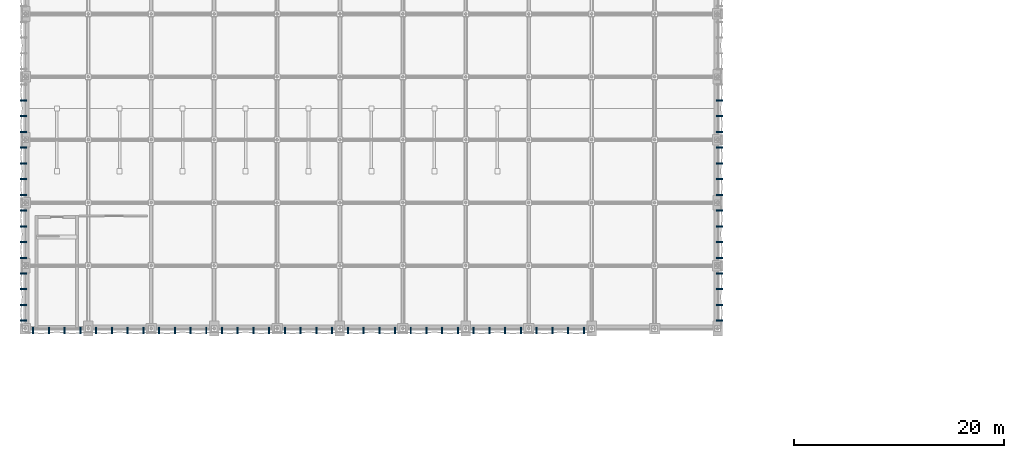
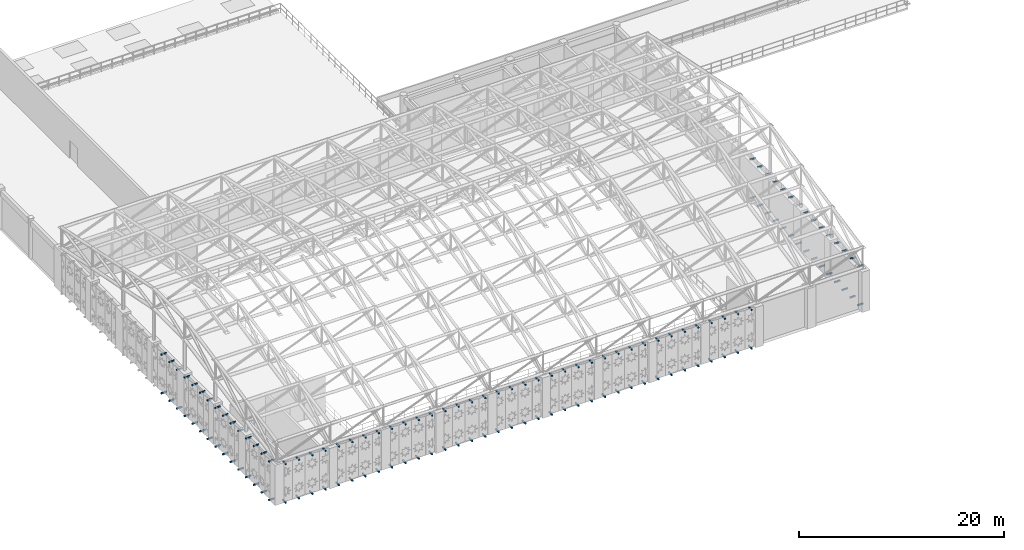
# One storey, part 102 of 112: 132 discrete accessories.
"""IFC4 building model written with IfcOpenShell, lengths in metres."""

from ifc_helpers import new_model, si_unit, direction, frame, origin, origin_2d, place, context, subcontext, project, spatial, rectangle, extrude, material, type_object, element, save


model = new_model("IFC4")

# Units and contexts
model_context = context("Model", 3, precision=1e-05, world=origin(), true_north=direction((0.0, 1.0)))
body_context = subcontext(model_context, "Body", "Model", "MODEL_VIEW")
ifc_project = project(units=[si_unit("LENGTHUNIT", "METRE"), si_unit("AREAUNIT", "SQUARE_METRE"), si_unit("VOLUMEUNIT", "CUBIC_METRE"), si_unit("PLANEANGLEUNIT", "RADIAN"), si_unit("MASSUNIT", "GRAM", prefix="KILO"), si_unit("THERMODYNAMICTEMPERATUREUNIT", "KELVIN"), si_unit("POWERUNIT", "WATT")], contexts=[model_context])

# Site, building, storey
site_placement = place(None, origin())
site = spatial("IfcSite", under=ifc_project, at=site_placement, CompositionType="ELEMENT")
building_placement = place(site_placement, origin())
building = spatial("IfcBuilding", under=site, at=building_placement, Name="Phaisarnlok Congress Hotel", CompositionType="ELEMENT")
storey_placement = place(building_placement, frame((0.0, 0.0, 19.800048828125)))
storey = spatial("IfcBuildingStorey", under=building, at=storey_placement, Name="L04", CompositionType="ELEMENT", Elevation=19.800048828125)

# Discrete accessories
ifc_material = material(Name="Steel S355", Category="steel")
discrete_accessory_type = type_object("IfcDiscreteAccessoryType", Name="ACC-BRK-STL", PredefinedType="BRACKET", material=ifc_material)
for number, where, z_axis, x_axis, name in (
    (1, (-0.183837890625, 42.75, -0.18017578125), (0.0, 0.0, 1.0), (1.0, 0.0, 0.0), "Solar screen steel outrigger bracket BK-01"),
    (2, (-0.183837890625, 42.75, 4.419921875), (0.0, 0.0, 1.0), (1.0, 0.0, 0.0), "Solar screen steel outrigger bracket BK-01"),
    (3, (-0.183837890625, 44.25, -0.18017578125), (0.0, 0.0, 1.0), (1.0, 0.0, 0.0), "Solar screen steel outrigger bracket BK-01"),
    (4, (-0.183837890625, 44.25, 4.419921875), (0.0, 0.0, 1.0), (1.0, 0.0, 0.0), "Solar screen steel outrigger bracket BK-01"),
    (5, (-0.183837890625, 45.75, -0.18017578125), (0.0, 0.0, 1.0), (1.0, 0.0, 0.0), "Solar screen steel outrigger bracket BK-01"),
    (6, (-0.183837890625, 45.75, 4.419921875), (0.0, 0.0, 1.0), (1.0, 0.0, 0.0), "Solar screen steel outrigger bracket BK-01"),
    (7, (-0.183837890625, 47.25, -0.18017578125), (0.0, 0.0, 1.0), (1.0, 0.0, 0.0), "Solar screen steel outrigger bracket BK-01"),
    (8, (-0.183837890625, 47.25, 4.419921875), (0.0, 0.0, 1.0), (1.0, 0.0, 0.0), "Solar screen steel outrigger bracket BK-01"),
    (9, (-0.183837890625, 48.75, -0.18017578125), (0.0, 0.0, 1.0), (1.0, 0.0, 0.0), "Solar screen steel outrigger bracket BK-01"),
    (10, (-0.183837890625, 48.75, 4.419921875), (0.0, 0.0, 1.0), (1.0, 0.0, 0.0), "Solar screen steel outrigger bracket BK-01"),
    (11, (-0.183837890625, 50.25, -0.18017578125), (0.0, 0.0, 1.0), (1.0, 0.0, 0.0), "Solar screen steel outrigger bracket BK-01"),
    (12, (-0.183837890625, 50.25, 4.419921875), (0.0, 0.0, 1.0), (1.0, 0.0, 0.0), "Solar screen steel outrigger bracket BK-01"),
    (13, (-0.183837890625, 51.75, -0.18017578125), (0.0, 0.0, 1.0), (1.0, 0.0, 0.0), "Solar screen steel outrigger bracket BK-01"),
    (14, (-0.183837890625, 51.75, 4.419921875), (0.0, 0.0, 1.0), (1.0, 0.0, 0.0), "Solar screen steel outrigger bracket BK-01"),
    (15, (-0.183837890625, 53.25, -0.18017578125), (0.0, 0.0, 1.0), (1.0, 0.0, 0.0), "Solar screen steel outrigger bracket BK-01"),
    (16, (-0.183837890625, 53.25, 4.419921875), (0.0, 0.0, 1.0), (1.0, 0.0, 0.0), "Solar screen steel outrigger bracket BK-01"),
    (17, (-0.183837890625, 54.75, -0.18017578125), (0.0, 0.0, 1.0), (1.0, 0.0, 0.0), "Solar screen steel outrigger bracket BK-01"),
    (18, (-0.183837890625, 54.75, 4.419921875), (0.0, 0.0, 1.0), (1.0, 0.0, 0.0), "Solar screen steel outrigger bracket BK-01"),
    (19, (-0.183837890625, 56.25, -0.18017578125), (0.0, 0.0, 1.0), (1.0, 0.0, 0.0), "Solar screen steel outrigger bracket BK-01"),
    (20, (-0.183837890625, 56.25, 4.419921875), (0.0, 0.0, 1.0), (1.0, 0.0, 0.0), "Solar screen steel outrigger bracket BK-01"),
    (21, (-0.183837890625, 57.75, -0.18017578125), (0.0, 0.0, 1.0), (1.0, 0.0, 0.0), "Solar screen steel outrigger bracket BK-01"),
    (22, (-0.183837890625, 57.75, 4.419921875), (0.0, 0.0, 1.0), (1.0, 0.0, 0.0), "Solar screen steel outrigger bracket BK-01"),
    (23, (-0.183837890625, 59.25, -0.18017578125), (0.0, 0.0, 1.0), (1.0, 0.0, 0.0), "Solar screen steel outrigger bracket BK-01"),
    (24, (-0.183837890625, 59.25, 4.419921875), (0.0, 0.0, 1.0), (1.0, 0.0, 0.0), "Solar screen steel outrigger bracket BK-01"),
    (25, (-0.183837890625, 60.75, -0.18017578125), (0.0, 0.0, 1.0), (1.0, 0.0, 0.0), "Solar screen steel outrigger bracket BK-01"),
    (26, (-0.183837890625, 60.75, 4.419921875), (0.0, 0.0, 1.0), (1.0, 0.0, 0.0), "Solar screen steel outrigger bracket BK-01"),
    (27, (-0.183837890625, 62.25, -0.18017578125), (0.0, 0.0, 1.0), (1.0, 0.0, 0.0), "Solar screen steel outrigger bracket BK-01"),
    (28, (-0.183837890625, 62.25, 4.419921875), (0.0, 0.0, 1.0), (1.0, 0.0, 0.0), "Solar screen steel outrigger bracket BK-01"),
    (29, (-0.183837890625, 63.75, -0.18017578125), (0.0, 0.0, 1.0), (1.0, 0.0, 0.0), "Solar screen steel outrigger bracket BK-01"),
    (30, (-0.183837890625, 63.75, 4.419921875), (0.0, 0.0, 1.0), (1.0, 0.0, 0.0), "Solar screen steel outrigger bracket BK-01"),
):
    element("IfcDiscreteAccessory", number, at=place(storey_placement, frame(where, z_axis=z_axis, x_axis=x_axis)), inside=storey, type_object=discrete_accessory_type, Name=name, PredefinedType="BRACKET", context=body_context, shape_type="SweptSolid", body=[
        extrude(rectangle(XDim=0.647705078125, YDim=0.139892578125, at=origin_2d()), origin(), (0.0, 0.0, 1.0), 0.159912109375),
    ])
for number, where, z_axis, x_axis, name in (
    (31, (0.75, 41.816162109375, -0.18017578125), (0.0, 0.0, 1.0), (1.0, 0.0, 0.0), "Solar screen steel outrigger bracket BK-01"),
    (32, (0.75, 41.816162109375, 4.419921875), (0.0, 0.0, 1.0), (1.0, 0.0, 0.0), "Solar screen steel outrigger bracket BK-01"),
    (33, (2.25, 41.816162109375, -0.18017578125), (0.0, 0.0, 1.0), (1.0, 0.0, 0.0), "Solar screen steel outrigger bracket BK-01"),
    (34, (2.25, 41.816162109375, 4.419921875), (0.0, 0.0, 1.0), (1.0, 0.0, 0.0), "Solar screen steel outrigger bracket BK-01"),
    (35, (3.75, 41.816162109375, -0.18017578125), (0.0, 0.0, 1.0), (1.0, 0.0, 0.0), "Solar screen steel outrigger bracket BK-01"),
    (36, (3.75, 41.816162109375, 4.419921875), (0.0, 0.0, 1.0), (1.0, 0.0, 0.0), "Solar screen steel outrigger bracket BK-01"),
    (37, (5.25, 41.816162109375, -0.18017578125), (0.0, 0.0, 1.0), (1.0, 0.0, 0.0), "Solar screen steel outrigger bracket BK-01"),
    (38, (5.25, 41.816162109375, 4.419921875), (0.0, 0.0, 1.0), (1.0, 0.0, 0.0), "Solar screen steel outrigger bracket BK-01"),
    (39, (6.75, 41.816162109375, -0.18017578125), (0.0, 0.0, 1.0), (1.0, 0.0, 0.0), "Solar screen steel outrigger bracket BK-01"),
    (40, (6.75, 41.816162109375, 4.419921875), (0.0, 0.0, 1.0), (1.0, 0.0, 0.0), "Solar screen steel outrigger bracket BK-01"),
    (41, (8.25, 41.816162109375, -0.18017578125), (0.0, 0.0, 1.0), (1.0, 0.0, 0.0), "Solar screen steel outrigger bracket BK-01"),
    (42, (8.25, 41.816162109375, 4.419921875), (0.0, 0.0, 1.0), (1.0, 0.0, 0.0), "Solar screen steel outrigger bracket BK-01"),
    (43, (9.75, 41.816162109375, -0.18017578125), (0.0, 0.0, 1.0), (1.0, 0.0, 0.0), "Solar screen steel outrigger bracket BK-01"),
    (44, (9.75, 41.816162109375, 4.419921875), (0.0, 0.0, 1.0), (1.0, 0.0, 0.0), "Solar screen steel outrigger bracket BK-01"),
    (45, (11.25, 41.816162109375, -0.18017578125), (0.0, 0.0, 1.0), (1.0, 0.0, 0.0), "Solar screen steel outrigger bracket BK-01"),
    (46, (11.25, 41.816162109375, 4.419921875), (0.0, 0.0, 1.0), (1.0, 0.0, 0.0), "Solar screen steel outrigger bracket BK-01"),
    (47, (12.75, 41.816162109375, -0.18017578125), (0.0, 0.0, 1.0), (1.0, 0.0, 0.0), "Solar screen steel outrigger bracket BK-01"),
    (48, (12.75, 41.816162109375, 4.419921875), (0.0, 0.0, 1.0), (1.0, 0.0, 0.0), "Solar screen steel outrigger bracket BK-01"),
    (49, (14.25, 41.816162109375, -0.18017578125), (0.0, 0.0, 1.0), (1.0, 0.0, 0.0), "Solar screen steel outrigger bracket BK-01"),
    (50, (14.25, 41.816162109375, 4.419921875), (0.0, 0.0, 1.0), (1.0, 0.0, 0.0), "Solar screen steel outrigger bracket BK-01"),
    (51, (15.75, 41.816162109375, -0.18017578125), (0.0, 0.0, 1.0), (1.0, 0.0, 0.0), "Solar screen steel outrigger bracket BK-01"),
    (52, (15.75, 41.816162109375, 4.419921875), (0.0, 0.0, 1.0), (1.0, 0.0, 0.0), "Solar screen steel outrigger bracket BK-01"),
    (53, (17.25, 41.816162109375, -0.18017578125), (0.0, 0.0, 1.0), (1.0, 0.0, 0.0), "Solar screen steel outrigger bracket BK-01"),
    (54, (17.25, 41.816162109375, 4.419921875), (0.0, 0.0, 1.0), (1.0, 0.0, 0.0), "Solar screen steel outrigger bracket BK-01"),
    (55, (18.75, 41.816162109375, -0.18017578125), (0.0, 0.0, 1.0), (1.0, 0.0, 0.0), "Solar screen steel outrigger bracket BK-01"),
    (56, (18.75, 41.816162109375, 4.419921875), (0.0, 0.0, 1.0), (1.0, 0.0, 0.0), "Solar screen steel outrigger bracket BK-01"),
    (57, (20.25, 41.816162109375, -0.18017578125), (0.0, 0.0, 1.0), (1.0, 0.0, 0.0), "Solar screen steel outrigger bracket BK-01"),
    (58, (20.25, 41.816162109375, 4.419921875), (0.0, 0.0, 1.0), (1.0, 0.0, 0.0), "Solar screen steel outrigger bracket BK-01"),
    (59, (21.75, 41.816162109375, -0.18017578125), (0.0, 0.0, 1.0), (1.0, 0.0, 0.0), "Solar screen steel outrigger bracket BK-01"),
    (60, (21.75, 41.816162109375, 4.419921875), (0.0, 0.0, 1.0), (1.0, 0.0, 0.0), "Solar screen steel outrigger bracket BK-01"),
    (61, (23.25, 41.816162109375, -0.18017578125), (0.0, 0.0, 1.0), (1.0, 0.0, 0.0), "Solar screen steel outrigger bracket BK-01"),
    (62, (23.25, 41.816162109375, 4.419921875), (0.0, 0.0, 1.0), (1.0, 0.0, 0.0), "Solar screen steel outrigger bracket BK-01"),
    (63, (24.75, 41.816162109375, -0.18017578125), (0.0, 0.0, 1.0), (1.0, 0.0, 0.0), "Solar screen steel outrigger bracket BK-01"),
    (64, (24.75, 41.816162109375, 4.419921875), (0.0, 0.0, 1.0), (1.0, 0.0, 0.0), "Solar screen steel outrigger bracket BK-01"),
    (65, (26.25, 41.816162109375, -0.18017578125), (0.0, 0.0, 1.0), (1.0, 0.0, 0.0), "Solar screen steel outrigger bracket BK-01"),
    (66, (26.25, 41.816162109375, 4.419921875), (0.0, 0.0, 1.0), (1.0, 0.0, 0.0), "Solar screen steel outrigger bracket BK-01"),
    (67, (27.75, 41.816162109375, -0.18017578125), (0.0, 0.0, 1.0), (1.0, 0.0, 0.0), "Solar screen steel outrigger bracket BK-01"),
    (68, (27.75, 41.816162109375, 4.419921875), (0.0, 0.0, 1.0), (1.0, 0.0, 0.0), "Solar screen steel outrigger bracket BK-01"),
    (69, (29.25, 41.816162109375, -0.18017578125), (0.0, 0.0, 1.0), (1.0, 0.0, 0.0), "Solar screen steel outrigger bracket BK-01"),
    (70, (29.25, 41.816162109375, 4.419921875), (0.0, 0.0, 1.0), (1.0, 0.0, 0.0), "Solar screen steel outrigger bracket BK-01"),
    (71, (30.75, 41.816162109375, -0.18017578125), (0.0, 0.0, 1.0), (1.0, 0.0, 0.0), "Solar screen steel outrigger bracket BK-01"),
    (72, (30.75, 41.816162109375, 4.419921875), (0.0, 0.0, 1.0), (1.0, 0.0, 0.0), "Solar screen steel outrigger bracket BK-01"),
    (73, (32.25, 41.816162109375, -0.18017578125), (0.0, 0.0, 1.0), (1.0, 0.0, 0.0), "Solar screen steel outrigger bracket BK-01"),
    (74, (32.25, 41.816162109375, 4.419921875), (0.0, 0.0, 1.0), (1.0, 0.0, 0.0), "Solar screen steel outrigger bracket BK-01"),
    (75, (33.75, 41.816162109375, -0.18017578125), (0.0, 0.0, 1.0), (1.0, 0.0, 0.0), "Solar screen steel outrigger bracket BK-01"),
    (76, (33.75, 41.816162109375, 4.419921875), (0.0, 0.0, 1.0), (1.0, 0.0, 0.0), "Solar screen steel outrigger bracket BK-01"),
    (77, (35.25, 41.816162109375, -0.18017578125), (0.0, 0.0, 1.0), (1.0, 0.0, 0.0), "Solar screen steel outrigger bracket BK-01"),
    (78, (35.25, 41.816162109375, 4.419921875), (0.0, 0.0, 1.0), (1.0, 0.0, 0.0), "Solar screen steel outrigger bracket BK-01"),
    (79, (36.75, 41.816162109375, -0.18017578125), (0.0, 0.0, 1.0), (1.0, 0.0, 0.0), "Solar screen steel outrigger bracket BK-01"),
    (80, (36.75, 41.816162109375, 4.419921875), (0.0, 0.0, 1.0), (1.0, 0.0, 0.0), "Solar screen steel outrigger bracket BK-01"),
    (81, (38.25, 41.816162109375, -0.18017578125), (0.0, 0.0, 1.0), (1.0, 0.0, 0.0), "Solar screen steel outrigger bracket BK-01"),
    (82, (38.25, 41.816162109375, 4.419921875), (0.0, 0.0, 1.0), (1.0, 0.0, 0.0), "Solar screen steel outrigger bracket BK-01"),
    (83, (39.75, 41.816162109375, -0.18017578125), (0.0, 0.0, 1.0), (1.0, 0.0, 0.0), "Solar screen steel outrigger bracket BK-01"),
    (84, (39.75, 41.816162109375, 4.419921875), (0.0, 0.0, 1.0), (1.0, 0.0, 0.0), "Solar screen steel outrigger bracket BK-01"),
    (85, (41.25, 41.816162109375, -0.18017578125), (0.0, 0.0, 1.0), (1.0, 0.0, 0.0), "Solar screen steel outrigger bracket BK-01"),
    (86, (41.25, 41.816162109375, 4.419921875), (0.0, 0.0, 1.0), (1.0, 0.0, 0.0), "Solar screen steel outrigger bracket BK-01"),
    (87, (42.75, 41.816162109375, -0.18017578125), (0.0, 0.0, 1.0), (1.0, 0.0, 0.0), "Solar screen steel outrigger bracket BK-01"),
    (88, (42.75, 41.816162109375, 4.419921875), (0.0, 0.0, 1.0), (1.0, 0.0, 0.0), "Solar screen steel outrigger bracket BK-01"),
    (89, (44.25, 41.816162109375, -0.18017578125), (0.0, 0.0, 1.0), (1.0, 0.0, 0.0), "Solar screen steel outrigger bracket BK-01"),
    (90, (44.25, 41.816162109375, 4.419921875), (0.0, 0.0, 1.0), (1.0, 0.0, 0.0), "Solar screen steel outrigger bracket BK-01"),
    (91, (45.75, 41.816162109375, -0.18017578125), (0.0, 0.0, 1.0), (1.0, 0.0, 0.0), "Solar screen steel outrigger bracket BK-01"),
    (92, (45.75, 41.816162109375, 4.419921875), (0.0, 0.0, 1.0), (1.0, 0.0, 0.0), "Solar screen steel outrigger bracket BK-01"),
    (93, (47.25, 41.816162109375, -0.18017578125), (0.0, 0.0, 1.0), (1.0, 0.0, 0.0), "Solar screen steel outrigger bracket BK-01"),
    (94, (47.25, 41.816162109375, 4.419921875), (0.0, 0.0, 1.0), (1.0, 0.0, 0.0), "Solar screen steel outrigger bracket BK-01"),
    (95, (48.75, 41.816162109375, -0.18017578125), (0.0, 0.0, 1.0), (1.0, 0.0, 0.0), "Solar screen steel outrigger bracket BK-01"),
    (96, (48.75, 41.816162109375, 4.419921875), (0.0, 0.0, 1.0), (1.0, 0.0, 0.0), "Solar screen steel outrigger bracket BK-01"),
    (97, (50.25, 41.816162109375, -0.18017578125), (0.0, 0.0, 1.0), (1.0, 0.0, 0.0), "Solar screen steel outrigger bracket BK-01"),
    (98, (50.25, 41.816162109375, 4.419921875), (0.0, 0.0, 1.0), (1.0, 0.0, 0.0), "Solar screen steel outrigger bracket BK-01"),
    (99, (51.75, 41.816162109375, -0.18017578125), (0.0, 0.0, 1.0), (1.0, 0.0, 0.0), "Solar screen steel outrigger bracket BK-01"),
    (100, (51.75, 41.816162109375, 4.419921875), (0.0, 0.0, 1.0), (1.0, 0.0, 0.0), "Solar screen steel outrigger bracket BK-01"),
    (101, (53.25, 41.816162109375, -0.18017578125), (0.0, 0.0, 1.0), (1.0, 0.0, 0.0), "Solar screen steel outrigger bracket BK-01"),
    (102, (53.25, 41.816162109375, 4.419921875), (0.0, 0.0, 1.0), (1.0, 0.0, 0.0), "Solar screen steel outrigger bracket BK-01"),
):
    element("IfcDiscreteAccessory", number, at=place(storey_placement, frame(where, z_axis=z_axis, x_axis=x_axis)), inside=storey, type_object=discrete_accessory_type, Name=name, PredefinedType="BRACKET", context=body_context, shape_type="SweptSolid", body=[
        extrude(rectangle(XDim=0.139892578125, YDim=0.647705078125, at=origin_2d()), origin(), (0.0, 0.0, 1.0), 0.159912109375),
    ])
for number, where, z_axis, x_axis, name in (
    (103, (66.183837890625, 42.75, -0.18017578125), (0.0, 0.0, 1.0), (1.0, 0.0, 0.0), "Solar screen steel outrigger bracket BK-01"),
    (104, (66.183837890625, 42.75, 4.419921875), (0.0, 0.0, 1.0), (1.0, 0.0, 0.0), "Solar screen steel outrigger bracket BK-01"),
    (105, (66.183837890625, 44.25, -0.18017578125), (0.0, 0.0, 1.0), (1.0, 0.0, 0.0), "Solar screen steel outrigger bracket BK-01"),
    (106, (66.183837890625, 44.25, 4.419921875), (0.0, 0.0, 1.0), (1.0, 0.0, 0.0), "Solar screen steel outrigger bracket BK-01"),
    (107, (66.183837890625, 45.75, -0.18017578125), (0.0, 0.0, 1.0), (1.0, 0.0, 0.0), "Solar screen steel outrigger bracket BK-01"),
    (108, (66.183837890625, 45.75, 4.419921875), (0.0, 0.0, 1.0), (1.0, 0.0, 0.0), "Solar screen steel outrigger bracket BK-01"),
    (109, (66.183837890625, 47.25, -0.18017578125), (0.0, 0.0, 1.0), (1.0, 0.0, 0.0), "Solar screen steel outrigger bracket BK-01"),
    (110, (66.183837890625, 47.25, 4.419921875), (0.0, 0.0, 1.0), (1.0, 0.0, 0.0), "Solar screen steel outrigger bracket BK-01"),
    (111, (66.183837890625, 48.75, -0.18017578125), (0.0, 0.0, 1.0), (1.0, 0.0, 0.0), "Solar screen steel outrigger bracket BK-01"),
    (112, (66.183837890625, 48.75, 4.419921875), (0.0, 0.0, 1.0), (1.0, 0.0, 0.0), "Solar screen steel outrigger bracket BK-01"),
    (113, (66.183837890625, 50.25, -0.18017578125), (0.0, 0.0, 1.0), (1.0, 0.0, 0.0), "Solar screen steel outrigger bracket BK-01"),
    (114, (66.183837890625, 50.25, 4.419921875), (0.0, 0.0, 1.0), (1.0, 0.0, 0.0), "Solar screen steel outrigger bracket BK-01"),
    (115, (66.183837890625, 51.75, -0.18017578125), (0.0, 0.0, 1.0), (1.0, 0.0, 0.0), "Solar screen steel outrigger bracket BK-01"),
    (116, (66.183837890625, 51.75, 4.419921875), (0.0, 0.0, 1.0), (1.0, 0.0, 0.0), "Solar screen steel outrigger bracket BK-01"),
    (117, (66.183837890625, 53.25, -0.18017578125), (0.0, 0.0, 1.0), (1.0, 0.0, 0.0), "Solar screen steel outrigger bracket BK-01"),
    (118, (66.183837890625, 53.25, 4.419921875), (0.0, 0.0, 1.0), (1.0, 0.0, 0.0), "Solar screen steel outrigger bracket BK-01"),
    (119, (66.183837890625, 54.75, -0.18017578125), (0.0, 0.0, 1.0), (1.0, 0.0, 0.0), "Solar screen steel outrigger bracket BK-01"),
    (120, (66.183837890625, 54.75, 4.419921875), (0.0, 0.0, 1.0), (1.0, 0.0, 0.0), "Solar screen steel outrigger bracket BK-01"),
    (121, (66.183837890625, 56.25, -0.18017578125), (0.0, 0.0, 1.0), (1.0, 0.0, 0.0), "Solar screen steel outrigger bracket BK-01"),
    (122, (66.183837890625, 56.25, 4.419921875), (0.0, 0.0, 1.0), (1.0, 0.0, 0.0), "Solar screen steel outrigger bracket BK-01"),
    (123, (66.183837890625, 57.75, -0.18017578125), (0.0, 0.0, 1.0), (1.0, 0.0, 0.0), "Solar screen steel outrigger bracket BK-01"),
    (124, (66.183837890625, 57.75, 4.419921875), (0.0, 0.0, 1.0), (1.0, 0.0, 0.0), "Solar screen steel outrigger bracket BK-01"),
    (125, (66.183837890625, 59.25, -0.18017578125), (0.0, 0.0, 1.0), (1.0, 0.0, 0.0), "Solar screen steel outrigger bracket BK-01"),
    (126, (66.183837890625, 59.25, 4.419921875), (0.0, 0.0, 1.0), (1.0, 0.0, 0.0), "Solar screen steel outrigger bracket BK-01"),
    (127, (66.183837890625, 60.75, -0.18017578125), (0.0, 0.0, 1.0), (1.0, 0.0, 0.0), "Solar screen steel outrigger bracket BK-01"),
    (128, (66.183837890625, 60.75, 4.419921875), (0.0, 0.0, 1.0), (1.0, 0.0, 0.0), "Solar screen steel outrigger bracket BK-01"),
    (129, (66.183837890625, 62.25, -0.18017578125), (0.0, 0.0, 1.0), (1.0, 0.0, 0.0), "Solar screen steel outrigger bracket BK-01"),
    (130, (66.183837890625, 62.25, 4.419921875), (0.0, 0.0, 1.0), (1.0, 0.0, 0.0), "Solar screen steel outrigger bracket BK-01"),
    (131, (66.183837890625, 63.75, -0.18017578125), (0.0, 0.0, 1.0), (1.0, 0.0, 0.0), "Solar screen steel outrigger bracket BK-01"),
    (132, (66.183837890625, 63.75, 4.419921875), (0.0, 0.0, 1.0), (1.0, 0.0, 0.0), "Solar screen steel outrigger bracket BK-01"),
):
    element("IfcDiscreteAccessory", number, at=place(storey_placement, frame(where, z_axis=z_axis, x_axis=x_axis)), inside=storey, type_object=discrete_accessory_type, Name=name, PredefinedType="BRACKET", context=body_context, shape_type="SweptSolid", body=[
        extrude(rectangle(XDim=0.647705078125, YDim=0.139892578125, at=origin_2d()), origin(), (0.0, 0.0, 1.0), 0.159912109375),
    ])

save(model, "model.ifc")
